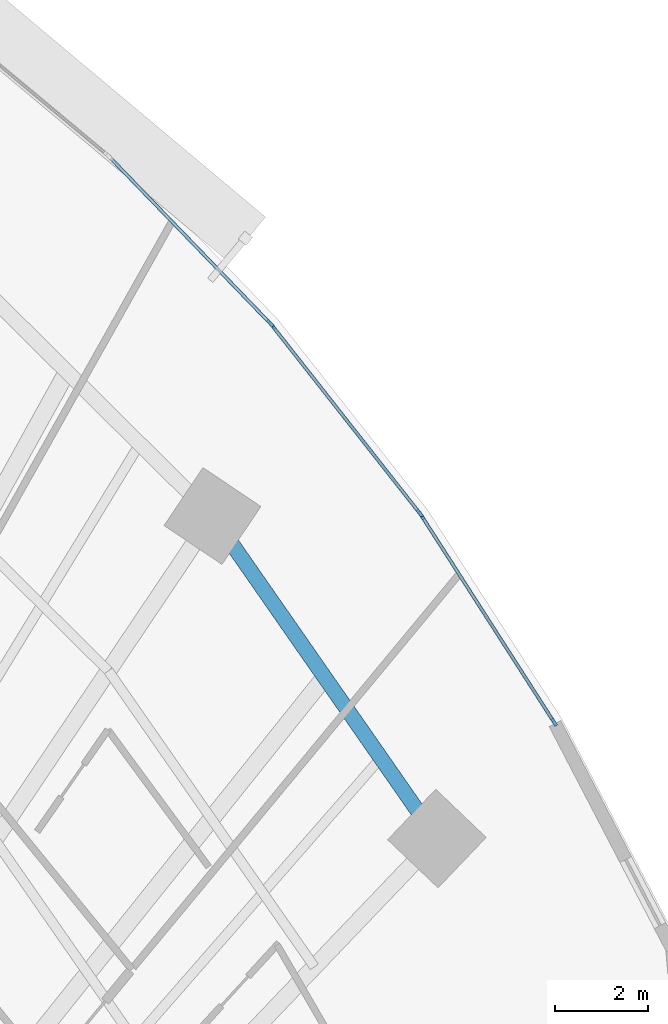
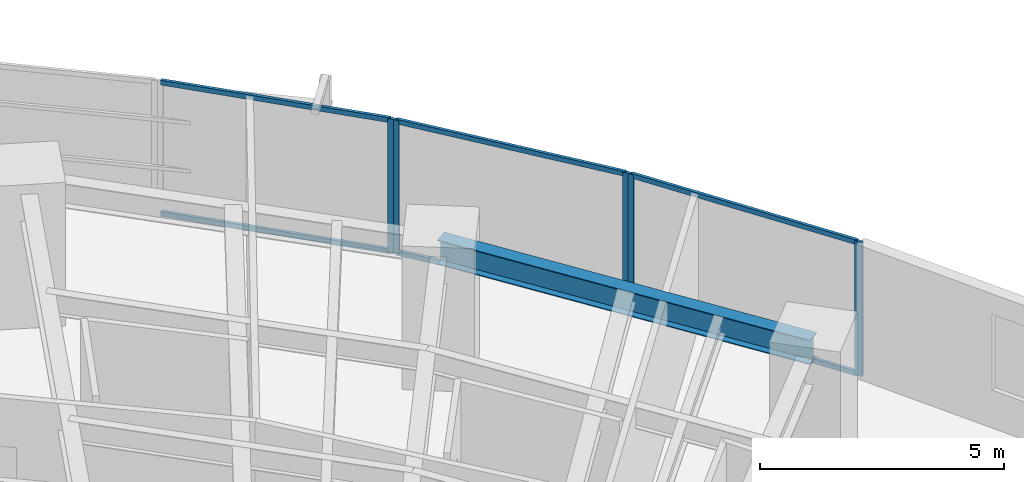
# One storey, part 8 of 17: 11 members, 1 beam, 3 elements without a shape of their own.
"""IFC4 building model written with IfcOpenShell, lengths in metres."""

from ifc_helpers import new_model, si_unit, direction, frame, origin, origin_2d, place, context, subcontext, project, spatial, rectangle, i_section, extrude, source, transform, mapped, material, layer, layer_set, material_profile, profile_set, type_object, type_shapes, element, aggregate, save


model = new_model("IFC4")

# Units and contexts
model_context = context("Model", 3, precision=1e-05, world=origin(), true_north=direction((0.0, 1.0)))
body_context = subcontext(model_context, "Body", "Model", "MODEL_VIEW")
ifc_project = project(units=[si_unit("LENGTHUNIT", "METRE"), si_unit("AREAUNIT", "SQUARE_METRE"), si_unit("VOLUMEUNIT", "CUBIC_METRE"), si_unit("PLANEANGLEUNIT", "RADIAN"), si_unit("MASSUNIT", "GRAM", prefix="KILO")], contexts=[model_context])

# Site, building, storey
site_placement = place(None, origin())
site = spatial("IfcSite", under=ifc_project, at=site_placement, CompositionType="ELEMENT")
building_placement = place(site_placement, origin())
building = spatial("IfcBuilding", under=site, at=building_placement, Name="Breltana Convention Tower", CompositionType="ELEMENT")
storey_placement = place(building_placement, frame((0.0, 0.0, 46.199951171875)))
storey = spatial("IfcBuildingStorey", under=building, at=storey_placement, Name="L09", CompositionType="ELEMENT", Elevation=46.199951171875)

# Beam
ifc_material_1 = material(Name="Steel ASTM A992 Grade 50", Category="steel")
ifc_material_profile_1 = material_profile(ifc_material_1, i_section(OverallWidth=0.323974609375, OverallDepth=0.611083984375, WebThickness=0.0126953125, FlangeThickness=0.01904296875, at=origin_2d()), Name="W24X104")
ifc_profile_set_1 = profile_set([ifc_material_profile_1], Name="Steel ASTM A992 Grade 50")
beam_type = type_object("IfcBeamType", Name="BM-SP-W24X104", PredefinedType="SPANDREL", material=ifc_profile_set_1)
shared_shape_1 = source(origin(), body_context, "Body", "SweptSolid", [
    extrude(i_section(OverallWidth=0.323974609375, OverallDepth=0.611083984375, WebThickness=0.0126953125, FlangeThickness=0.01904296875, at=origin_2d()), origin(), (0.0, 0.0, 1.0), 8.44970703125),
])
beam_placement = place(storey_placement, frame((75.166748046875, 62.43017578125, 3.054443359375), z_axis=(0.5711855381, -0.820820979913, 0.0), x_axis=(0.820820979913, 0.5711855381, 0.0)))
element("IfcBeam", 1, at=beam_placement, inside=storey, type_object=beam_type, Name="L09 Outer Spandrel Beam 10", PredefinedType="SPANDREL", context=body_context, shape_type="MappedRepresentation", body=[
    mapped(shared_shape_1, transform((0.0, 0.0, 0.0), scale=1.0)),
])

# Curtain wall, member
ifc_material_2 = material(Name="Aluminium Anodised Bronze Frame", Category="aluminium")
ifc_layer = layer(ifc_material_2, 0.199951171875, Name="Aluminium Anodised Bronze Frame")
ifc_layer_set = layer_set([ifc_layer], Name="Aluminium Anodised Bronze Frame")
curtain_wall_type = type_object("IfcCurtainWallType", Name="CW-SYS-2", PredefinedType="NOTDEFINED", material=ifc_layer_set)
curtain_wall_1_placement = place(storey_placement, origin())
curtain_wall_1 = element("IfcCurtainWall", 2, at=curtain_wall_1_placement, inside=storey, type_object=curtain_wall_type, Name="L09 outer double-skin inner glazing 16", PredefinedType="NOTDEFINED")
ifc_material_3 = material(Name="Aluminium Anodised Bronze", Category="aluminium")
ifc_material_profile_2 = material_profile(ifc_material_3, rectangle(XDim=0.070068359375, YDim=0.175048828125, at=origin_2d()), Name="CWM-70X175")
ifc_profile_set_2 = profile_set([ifc_material_profile_2], Name="Aluminium Anodised Bronze")
member_type_1 = type_object("IfcMemberType", Name="CWM-175", PredefinedType="MULLION", material=ifc_profile_set_2)
shared_shape_2 = source(origin(), body_context, "Body", "SweptSolid", [
    extrude(rectangle(XDim=0.070068359375, YDim=0.175048828125, at=origin_2d()), origin(), (0.0, 0.0, 1.0), 3.360107421875),
])
type_shapes(member_type_1, [shared_shape_2])
member_1_placement = place(storey_placement, frame((76.408935546875, 66.571533203125, 0.0), z_axis=(0.0, 0.0, 1.0), x_axis=(0.719386421003, 0.694610090106, 0.0)))
member_1 = element("IfcMember", 3, at=member_1_placement, type_object=member_type_1, Name="CW-02 mullion 2", PredefinedType="MULLION", context=body_context, shape_type="MappedRepresentation", body=[
    mapped(shared_shape_2, transform((0.0, 0.0, 0.0), scale=1.0)),
])

# Curtain wall, members
curtain_wall_2_placement = place(storey_placement, origin())
curtain_wall_2 = element("IfcCurtainWall", 4, at=curtain_wall_2_placement, inside=storey, type_object=curtain_wall_type, Name="L09 outer double-skin inner glazing 17", PredefinedType="NOTDEFINED")
member_2_placement = place(storey_placement, frame((76.454833984375, 66.518798828125, 0.0), z_axis=(0.0, 0.0, 1.0), x_axis=(0.786057080698, 0.618153917633, 0.0)))
member_2 = element("IfcMember", 5, at=member_2_placement, type_object=member_type_1, Name="CW-02 mullion 1", PredefinedType="MULLION", context=body_context, shape_type="MappedRepresentation", body=[
    mapped(shared_shape_2, transform((0.0, 0.0, 0.0), scale=1.0)),
])
member_3_placement = place(storey_placement, frame((79.62255859375, 62.49072265625, 0.0), z_axis=(0.0, 0.0, 1.0), x_axis=(0.786057080698, 0.618153917633, 0.0)))
member_3 = element("IfcMember", 6, at=member_3_placement, type_object=member_type_1, Name="CW-02 mullion 2", PredefinedType="MULLION", context=body_context, shape_type="MappedRepresentation", body=[
    mapped(shared_shape_2, transform((0.0, 0.0, 0.0), scale=1.0)),
])

curtain_wall_3_placement = place(storey_placement, origin())
curtain_wall_3 = element("IfcCurtainWall", 7, at=curtain_wall_3_placement, inside=storey, type_object=curtain_wall_type, Name="L09 outer double-skin inner glazing 18", PredefinedType="NOTDEFINED")
member_4_placement = place(storey_placement, frame((79.6630859375, 62.43359375, 0.0), z_axis=(0.0, 0.0, 1.0), x_axis=(0.841549039154, 0.540180724109, 0.0)))
member_4 = element("IfcMember", 8, at=member_4_placement, type_object=member_type_1, Name="CW-02 mullion 1", PredefinedType="MULLION", context=body_context, shape_type="MappedRepresentation", body=[
    mapped(shared_shape_2, transform((0.0, 0.0, 0.0), scale=1.0)),
])
member_5_placement = place(storey_placement, frame((82.512939453125, 57.993896484375, 0.0), z_axis=(0.0, 0.0, 1.0), x_axis=(0.841549039154, 0.540180724109, 0.0)))
member_5 = element("IfcMember", 9, at=member_5_placement, type_object=member_type_1, Name="CW-02 mullion 2", PredefinedType="MULLION", context=body_context, shape_type="MappedRepresentation", body=[
    mapped(shared_shape_2, transform((0.0, 0.0, 0.0), scale=1.0)),
])

# Member
ifc_material_profile_3 = material_profile(ifc_material_3, rectangle(XDim=0.070068359375, YDim=0.1201171875, at=origin_2d()), Name="CWT-70X120")
ifc_profile_set_3 = profile_set([ifc_material_profile_3], Name="Aluminium Anodised Bronze")
member_type_2 = type_object("IfcMemberType", Name="CWT-120", PredefinedType="USERDEFINED", material=ifc_profile_set_3)
shared_shape_3 = source(origin(), body_context, "Body", "SweptSolid", [
    extrude(rectangle(XDim=0.070068359375, YDim=0.1201171875, at=origin_2d()), origin(), (0.0, 0.0, 1.0), 5.0546875),
])
member_6_placement = place(storey_placement, frame((76.4765625, 66.491455078125, 0.03515625), z_axis=(0.618135067667, -0.786071903913, 0.0), x_axis=(0.786071903913, 0.618135067667, 0.0)))
member_6 = element("IfcMember", 10, at=member_6_placement, type_object=member_type_2, Name="CW-02 transom 1.1", ObjectType="TRANSOM", PredefinedType="USERDEFINED", context=body_context, shape_type="MappedRepresentation", body=[
    mapped(shared_shape_3, transform((0.0, 0.0, 0.0), scale=1.0)),
])

member_7_placement = place(storey_placement, frame((76.4765625, 66.491455078125, 3.324951171875), z_axis=(0.618135067667, -0.786071903913, 0.0), x_axis=(0.786071903913, 0.618135067667, 0.0)))
member_7 = element("IfcMember", 11, at=member_7_placement, type_object=member_type_2, Name="CW-02 transom 1.2", ObjectType="TRANSOM", PredefinedType="USERDEFINED", context=body_context, shape_type="MappedRepresentation", body=[
    mapped(shared_shape_3, transform((0.0, 0.0, 0.0), scale=1.0)),
])

aggregate(curtain_wall_2, [member_2, member_3, member_6, member_7])

shared_shape_4 = source(origin(), body_context, "Body", "SweptSolid", [
    extrude(rectangle(XDim=0.070068359375, YDim=0.1201171875, at=origin_2d()), origin(), (0.0, 0.0, 1.0), 4.901123046875),
])
member_8_placement = place(storey_placement, frame((72.980224609375, 70.12255859375, 0.03515625), z_axis=(0.6945945137, -0.719401460617, 0.0), x_axis=(0.719401460617, 0.6945945137, 0.0)))
member_8 = element("IfcMember", 12, at=member_8_placement, type_object=member_type_2, Name="CW-02 transom 1.1", ObjectType="TRANSOM", PredefinedType="USERDEFINED", context=body_context, shape_type="MappedRepresentation", body=[
    mapped(shared_shape_4, transform((0.0, 0.0, 0.0), scale=1.0)),
])

member_9_placement = place(storey_placement, frame((72.980224609375, 70.12255859375, 3.324951171875), z_axis=(0.6945945137, -0.719401460617, 0.0), x_axis=(0.719401460617, 0.6945945137, 0.0)))
member_9 = element("IfcMember", 13, at=member_9_placement, type_object=member_type_2, Name="CW-02 transom 1.2", ObjectType="TRANSOM", PredefinedType="USERDEFINED", context=body_context, shape_type="MappedRepresentation", body=[
    mapped(shared_shape_4, transform((0.0, 0.0, 0.0), scale=1.0)),
])

aggregate(curtain_wall_1, [member_1, member_8, member_9])

shared_shape_5 = source(origin(), body_context, "Body", "SweptSolid", [
    extrude(rectangle(XDim=0.070068359375, YDim=0.1201171875, at=origin_2d()), origin(), (0.0, 0.0, 1.0), 5.205810546875),
])
member_10_placement = place(storey_placement, frame((79.68212890625, 62.404296875, 0.03515625), z_axis=(0.540179102764, -0.841550079875, 0.0), x_axis=(0.841550079875, 0.540179102764, 0.0)))
member_10 = element("IfcMember", 14, at=member_10_placement, type_object=member_type_2, Name="CW-02 transom 1.1", ObjectType="TRANSOM", PredefinedType="USERDEFINED", context=body_context, shape_type="MappedRepresentation", body=[
    mapped(shared_shape_5, transform((0.0, 0.0, 0.0), scale=1.0)),
])

member_11_placement = place(storey_placement, frame((79.68212890625, 62.404296875, 3.324951171875), z_axis=(0.540179102764, -0.841550079875, 0.0), x_axis=(0.841550079875, 0.540179102764, 0.0)))
member_11 = element("IfcMember", 15, at=member_11_placement, type_object=member_type_2, Name="CW-02 transom 1.2", ObjectType="TRANSOM", PredefinedType="USERDEFINED", context=body_context, shape_type="MappedRepresentation", body=[
    mapped(shared_shape_5, transform((0.0, 0.0, 0.0), scale=1.0)),
])

aggregate(curtain_wall_3, [member_4, member_5, member_10, member_11])

save(model, "model.ifc")
